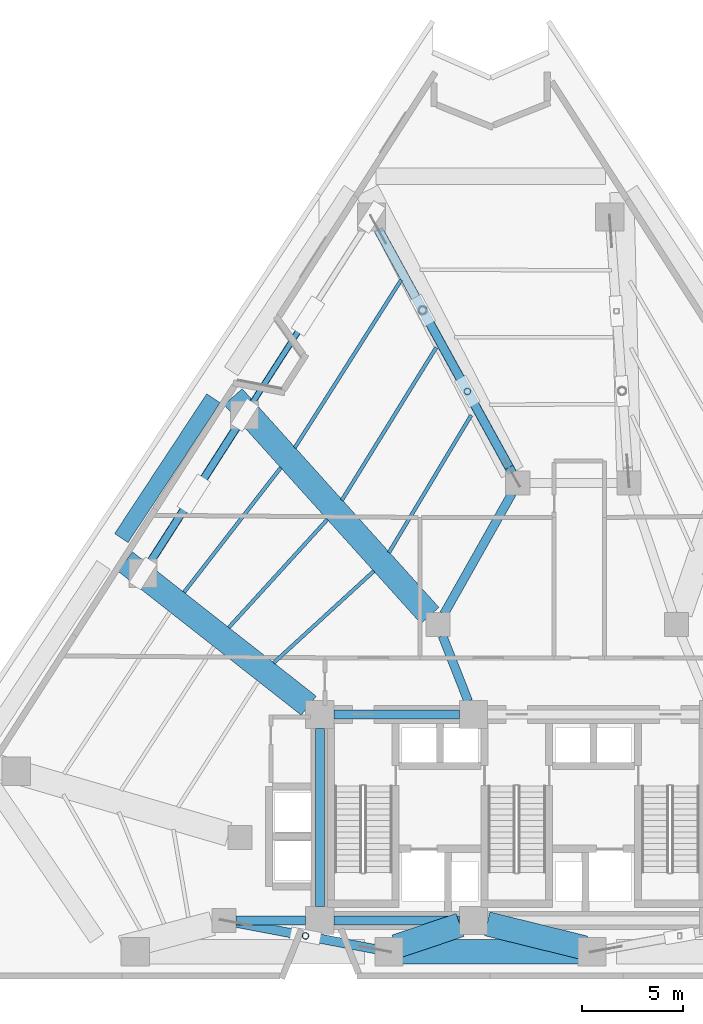
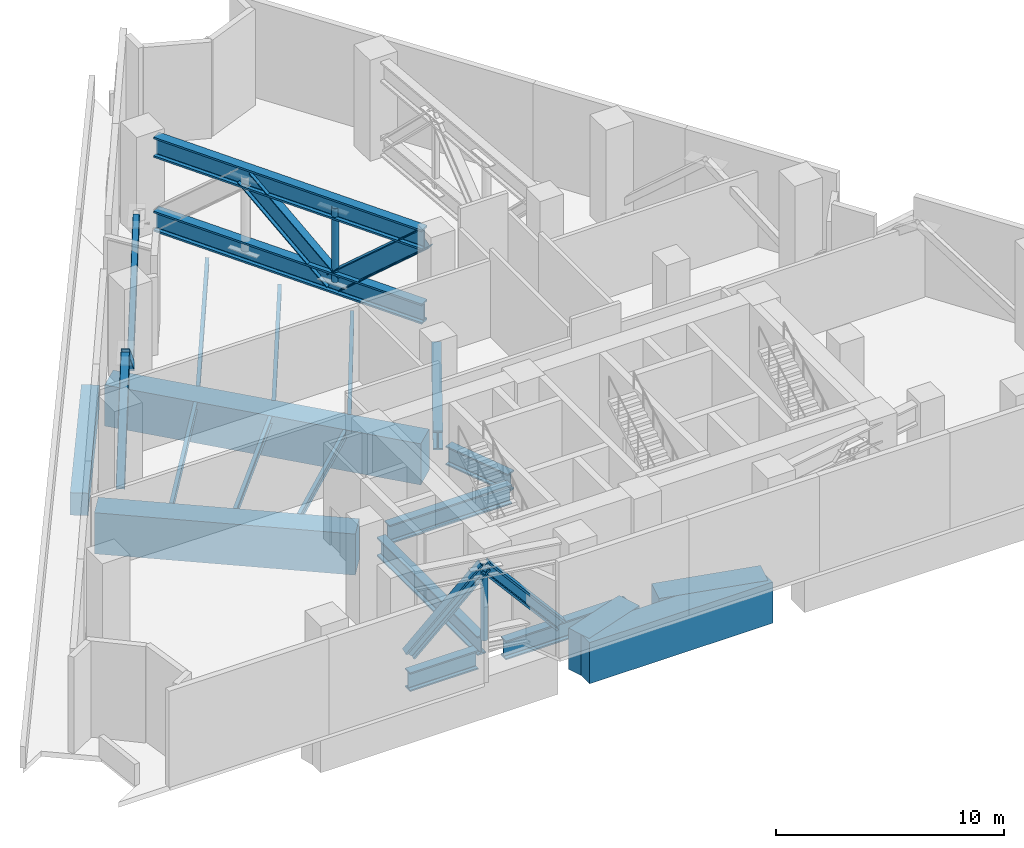
# One storey, part 2 of 12: 20 beams, 9 members.
"""IFC4 building model written with IfcOpenShell, lengths in metres."""

from ifc_helpers import new_model, si_unit, direction, frame, origin, origin_2d, place, context, subcontext, project, spatial, rectangle, hollow_rectangle, hollow_circle, i_section, extrude, material, material_profile, profile_set, type_object, element, save


model = new_model("IFC4")

# Units and contexts
model_context = context("Model", 3, precision=1e-05, world=origin(), true_north=direction((0.0, 1.0)))
body_context = subcontext(model_context, "Body", "Model", "MODEL_VIEW")
ifc_project = project(units=[si_unit("LENGTHUNIT", "METRE"), si_unit("AREAUNIT", "SQUARE_METRE"), si_unit("VOLUMEUNIT", "CUBIC_METRE"), si_unit("PLANEANGLEUNIT", "RADIAN"), si_unit("MASSUNIT", "GRAM", prefix="KILO")], contexts=[model_context])

# Site, building, storey
site_placement = place(None, origin())
site = spatial("IfcSite", under=ifc_project, at=site_placement, CompositionType="ELEMENT")
building_placement = place(site_placement, origin())
building = spatial("IfcBuilding", under=site, at=building_placement, Name="Almagre Mirador Tower", CompositionType="ELEMENT")
storey_placement = place(building_placement, frame((0.0, 0.0, 26.39990234375)))
storey = spatial("IfcBuildingStorey", under=building, at=storey_placement, Name="L05", CompositionType="ELEMENT", Elevation=26.39990234375)

# Beams
ifc_material_1 = material(Name="Steel ASTM A992 Grade 50", Category="steel")
ifc_material_profile_1 = material_profile(ifc_material_1, i_section(OverallWidth=0.178955078125, OverallDepth=0.408935546875, WebThickness=0.0087890625, FlangeThickness=0.014404296875, FilletRadius=0.013916015625, at=origin_2d()), Name="W16X45")
ifc_profile_set_1 = profile_set([ifc_material_profile_1], Name="Steel ASTM A992 Grade 50")
beam_type_1 = type_object("IfcBeamType", Name="BM-JST-W16X45", PredefinedType="JOIST", material=ifc_profile_set_1)
beam_1_placement = place(storey_placement, frame((31.57958984375, 36.26611328125, -0.50439453125), z_axis=(-0.535476048344, -0.844550413918, 0.0), x_axis=(0.844550413918, -0.535476048344, 0.0)))
element("IfcBeam", 1, at=beam_1_placement, inside=storey, type_object=beam_type_1, Name="L05 secondary floor joist PC09-PC10.1", PredefinedType="JOIST", context=body_context, shape_type="SweptSolid", body=[
    extrude(i_section(OverallWidth=0.178955078125, OverallDepth=0.408935546875, WebThickness=0.0087890625, FlangeThickness=0.014404296875, FilletRadius=0.013916015625, at=origin_2d()), origin(), (0.0, 0.0, 1.0), 9.8486328125),
])
beam_2_placement = place(storey_placement, frame((33.310302734375, 32.915771484375, -0.50439453125), z_axis=(-0.525599882162, -0.850731898938, 0.0), x_axis=(0.850731898938, -0.525599882162, 0.0)))
element("IfcBeam", 2, at=beam_2_placement, inside=storey, type_object=beam_type_1, Name="L05 secondary floor joist PC09-PC10.2", PredefinedType="JOIST", context=body_context, shape_type="SweptSolid", body=[
    extrude(i_section(OverallWidth=0.178955078125, OverallDepth=0.408935546875, WebThickness=0.0087890625, FlangeThickness=0.014404296875, FilletRadius=0.013916015625, at=origin_2d()), origin(), (0.0, 0.0, 1.0), 8.88916015625),
])
beam_3_placement = place(storey_placement, frame((35.042236328125, 29.56494140625, -0.50439453125), z_axis=(-0.513567466334, -0.858049216259, 0.0), x_axis=(0.858049216259, -0.513567466334, 0.0)))
element("IfcBeam", 3, at=beam_3_placement, inside=storey, type_object=beam_type_1, Name="L05 secondary floor joist PC09-PC10.3", PredefinedType="JOIST", context=body_context, shape_type="SweptSolid", body=[
    extrude(i_section(OverallWidth=0.178955078125, OverallDepth=0.408935546875, WebThickness=0.0087890625, FlangeThickness=0.014404296875, FilletRadius=0.013916015625, at=origin_2d()), origin(), (0.0, 0.0, 1.0), 7.93115234375),
])
beam_4_placement = place(storey_placement, frame((25.61669921875, 26.9677734375, -0.50439453125), z_axis=(-0.613231061335, -0.789903579821, 0.0), x_axis=(0.789903579821, -0.613231061335, 0.0)))
element("IfcBeam", 4, at=beam_4_placement, inside=storey, type_object=beam_type_1, Name="L05 secondary floor joist PC10-PC11.1", PredefinedType="JOIST", context=body_context, shape_type="SweptSolid", body=[
    extrude(i_section(OverallWidth=0.178955078125, OverallDepth=0.408935546875, WebThickness=0.0087890625, FlangeThickness=0.014404296875, FilletRadius=0.013916015625, at=origin_2d()), origin(), (0.0, 0.0, 1.0), 7.81591796875),
])
beam_5_placement = place(storey_placement, frame((27.91845703125, 24.399658203125, -0.50439453125), z_axis=(-0.673774982924, -0.738936582114, 0.0), x_axis=(0.738936582114, -0.673774982924, 0.0)))
element("IfcBeam", 5, at=beam_5_placement, inside=storey, type_object=beam_type_1, Name="L05 secondary floor joist PC10-PC11.2", PredefinedType="JOIST", context=body_context, shape_type="SweptSolid", body=[
    extrude(i_section(OverallWidth=0.178955078125, OverallDepth=0.408935546875, WebThickness=0.0087890625, FlangeThickness=0.014404296875, FilletRadius=0.013916015625, at=origin_2d()), origin(), (0.0, 0.0, 1.0), 7.238525390625),
])
beam_6_placement = place(storey_placement, frame((30.21826171875, 21.83935546875, -0.50439453125), z_axis=(-0.737530939883, -0.675313344097, 0.0), x_axis=(0.675313344097, -0.737530939883, 0.0)))
element("IfcBeam", 6, at=beam_6_placement, inside=storey, type_object=beam_type_1, Name="L05 secondary floor joist PC10-PC11.3", PredefinedType="JOIST", context=body_context, shape_type="SweptSolid", body=[
    extrude(i_section(OverallWidth=0.178955078125, OverallDepth=0.408935546875, WebThickness=0.0087890625, FlangeThickness=0.014404296875, FilletRadius=0.013916015625, at=origin_2d()), origin(), (0.0, 0.0, 1.0), 6.7216796875),
])
ifc_material_2 = material(Name="Precast concrete C50/60", Category="concrete")
ifc_material_profile_2 = material_profile(ifc_material_2, rectangle(XDim=0.800048828125, YDim=1.199951171875, at=origin_2d()), Name="RC800X1200")
ifc_profile_set_2 = profile_set([ifc_material_profile_2], Name="Precast concrete C50/60")
beam_type_2 = type_object("IfcBeamType", Name="BM-SPN-RC800X1200", PredefinedType="SPANDREL", material=ifc_profile_set_2)
beam_7_placement = place(storey_placement, frame((22.28173828125, 30.39990234375, -0.89990234375), z_axis=(-0.55020506323, -0.835029573366, 0.0), x_axis=(0.835029573366, -0.55020506323, 0.0)))
element("IfcBeam", 7, at=beam_7_placement, inside=storey, type_object=beam_type_2, Name="L05 perimeter spandrel beam PC10-PC11", PredefinedType="SPANDREL", context=body_context, shape_type="SweptSolid", body=[
    extrude(rectangle(XDim=0.800048828125, YDim=1.199951171875, at=origin_2d()), origin(), (0.0, 0.0, 1.0), 8.287109375),
])
ifc_material_3 = material(Name="Steel ASTM A992 Grade 50", Category="steel")
ifc_material_profile_3 = material_profile(ifc_material_3, i_section(OverallWidth=0.43701171875, OverallDepth=1.010986328125, WebThickness=0.041015625, FlangeThickness=0.073974609375, FilletRadius=0.028076171875, at=origin_2d()), Name="W36X529")
ifc_profile_set_3 = profile_set([ifc_material_profile_3], Name="Steel ASTM A992 Grade 50")
beam_type_3 = type_object("IfcBeamType", Name="BM-STL-W36X529", PredefinedType="BEAM", material=ifc_profile_set_3)
for number, where, z_axis, x_axis, name in (
    (8, (28.25, 4.550048828125, -0.805419921875), (1.0, 0.0, 0.0), (0.0, 1.0, 0.0), "L05 core tie girder CC1-CC2"),
    (9, (28.25, 14.75, -0.805419921875), (1.0, 0.0, 0.0), (0.0, 1.0, 0.0), "L05 core tie girder CC4-CC5"),
):
    element("IfcBeam", number, at=place(storey_placement, frame(where, z_axis=z_axis, x_axis=x_axis)), inside=storey, type_object=beam_type_3, Name=name, PredefinedType="BEAM", context=body_context, shape_type="SweptSolid", body=[
        extrude(i_section(OverallWidth=0.43701171875, OverallDepth=1.010986328125, WebThickness=0.041015625, FlangeThickness=0.073974609375, FilletRadius=0.028076171875, at=origin_2d()), origin(), (0.0, 0.0, 1.0), 6.199951171875),
    ])
beam_8_placement = place(storey_placement, frame((27.550048828125, 5.25, -0.805419921875), z_axis=(0.0, 1.0, 0.0), x_axis=(-1.0, 0.0, 0.0)))
element("IfcBeam", 10, at=beam_8_placement, inside=storey, type_object=beam_type_3, Name="L05 core tie girder CC1-CC4", PredefinedType="BEAM", context=body_context, shape_type="SweptSolid", body=[
    extrude(i_section(OverallWidth=0.43701171875, OverallDepth=1.010986328125, WebThickness=0.041015625, FlangeThickness=0.073974609375, FilletRadius=0.028076171875, at=origin_2d()), origin(), (0.0, 0.0, 1.0), 8.800048828125),
])
beam_9_placement = place(storey_placement, frame((23.39990234375, 4.550048828125, -0.805419921875), z_axis=(1.0, 0.0, 0.0), x_axis=(0.0, 1.0, 0.0)))
element("IfcBeam", 11, at=beam_9_placement, inside=storey, type_object=beam_type_3, Name="L05 core tie girder MC1-CC1", PredefinedType="BEAM", context=body_context, shape_type="SweptSolid", body=[
    extrude(i_section(OverallWidth=0.43701171875, OverallDepth=1.010986328125, WebThickness=0.041015625, FlangeThickness=0.073974609375, FilletRadius=0.028076171875, at=origin_2d()), origin(), (0.0, 0.0, 1.0), 3.4501953125),
])
beam_10_placement = place(storey_placement, frame((37.05517578125, 25.677490234375, -0.805419921875), z_axis=(-0.491440637516, -0.870911074564, 0.0), x_axis=(0.870911074564, -0.491440637516, 0.0)))
element("IfcBeam", 12, at=beam_10_placement, inside=storey, type_object=beam_type_3, Name="L05 core tie girder MC7-MC8", PredefinedType="BEAM", context=body_context, shape_type="SweptSolid", body=[
    extrude(i_section(OverallWidth=0.43701171875, OverallDepth=1.010986328125, WebThickness=0.041015625, FlangeThickness=0.073974609375, FilletRadius=0.028076171875, at=origin_2d()), origin(), (0.0, 0.0, 1.0), 6.837646484375),
])
beam_11_placement = place(storey_placement, frame((33.61962890625, 18.6416015625, -0.805419921875), z_axis=(0.365956076985, -0.93063212373, 0.0), x_axis=(0.93063212373, 0.365956076985, 0.0)))
element("IfcBeam", 13, at=beam_11_placement, inside=storey, type_object=beam_type_3, Name="L05 core tie girder MC8-CC5", PredefinedType="BEAM", context=body_context, shape_type="SweptSolid", body=[
    extrude(i_section(OverallWidth=0.43701171875, OverallDepth=1.010986328125, WebThickness=0.041015625, FlangeThickness=0.073974609375, FilletRadius=0.028076171875, at=origin_2d()), origin(), (0.0, 0.0, 1.0), 3.481689453125),
])
ifc_material_4 = material(Name="Steel ASTM A913 Grade 65", Category="steel")
ifc_material_profile_4 = material_profile(ifc_material_4, i_section(OverallWidth=0.45703125, OverallDepth=1.0869140625, WebThickness=0.060546875, FlangeThickness=0.093994140625, FilletRadius=0.028076171875, at=origin_2d()), Name="W36X800")
ifc_profile_set_4 = profile_set([ifc_material_profile_4], Name="Steel ASTM A913 Grade 65")
beam_type_4 = type_object("IfcBeamType", Name="BM-STL-W36X800", PredefinedType="BEAM", material=ifc_profile_set_4)
for number, where, z_axis, x_axis, name in (
    (14, (30.439453125, 38.759765625, 0.650146484375), (0.482060666066, -0.876137839745, 0.0), (0.876137839745, 0.482060666066, 0.0), "L05 outrigger truss 4 bottom chord"),
    (15, (30.439453125, 38.759765625, 4.606689453125), (0.482060666066, -0.876137839745, 0.0), (0.876137839745, 0.482060666066, 0.0), "L05 outrigger truss 4 top chord"),
):
    element("IfcBeam", number, at=place(storey_placement, frame(where, z_axis=z_axis, x_axis=x_axis)), inside=storey, type_object=beam_type_4, Name=name, PredefinedType="BEAM", context=body_context, shape_type="SweptSolid", body=[
        extrude(i_section(OverallWidth=0.45703125, OverallDepth=1.0869140625, WebThickness=0.060546875, FlangeThickness=0.093994140625, FilletRadius=0.028076171875, at=origin_2d()), origin(), (0.0, 0.0, 1.0), 13.735595703125),
    ])
ifc_material_5 = material(Name="Concrete C60/75", Category="concrete")
ifc_material_profile_5 = material_profile(ifc_material_5, rectangle(XDim=1.199951171875, YDim=2.199951171875, at=origin_2d()), Name="RC1200X2200")
ifc_profile_set_5 = profile_set([ifc_material_profile_5], Name="Concrete C60/75")
beam_type_5 = type_object("IfcBeamType", Name="BM-XFER-RC1200X2200", PredefinedType="BEAM", material=ifc_profile_set_5)
beam_12_placement = place(storey_placement, frame((31.360107421875, 3.0, -1.39990234375), z_axis=(1.0, 0.0, 0.0), x_axis=(0.0, 1.0, 0.0)))
element("IfcBeam", 16, at=beam_12_placement, inside=storey, type_object=beam_type_5, Name="L05 perimeter spandrel beam PC02-PC03", PredefinedType="BEAM", context=body_context, shape_type="SweptSolid", body=[
    extrude(rectangle(XDim=1.199951171875, YDim=2.199951171875, at=origin_2d()), origin(), (0.0, 0.0, 1.0), 9.27978515625),
])
beam_13_placement = place(storey_placement, frame((31.318115234375, 3.256103515625, -1.39990234375), z_axis=(0.947457161142, 0.319882678182, 0.0), x_axis=(-0.319882678182, 0.947457161142, 0.0)))
element("IfcBeam", 17, at=beam_13_placement, inside=storey, type_object=beam_type_5, Name="L05 radial transfer girder PC02-CC2", PredefinedType="BEAM", context=body_context, shape_type="SweptSolid", body=[
    extrude(rectangle(XDim=1.199951171875, YDim=2.199951171875, at=origin_2d()), origin(), (0.0, 0.0, 1.0), 3.344482421875),
])
beam_14_placement = place(storey_placement, frame((40.6630859375, 3.19140625, -1.39990234375), z_axis=(-0.970950577001, 0.239280122497, 0.0), x_axis=(-0.239280122497, -0.970950577001, 0.0)))
element("IfcBeam", 18, at=beam_14_placement, inside=storey, type_object=beam_type_5, Name="L05 radial transfer girder PC03-CC2", PredefinedType="BEAM", context=body_context, shape_type="SweptSolid", body=[
    extrude(rectangle(XDim=1.199951171875, YDim=2.199951171875, at=origin_2d()), origin(), (0.0, 0.0, 1.0), 4.97802734375),
])
beam_15_placement = place(storey_placement, frame((23.257080078125, 30.473388671875, -1.39990234375), z_axis=(0.668852666091, -0.743394989937, 0.0), x_axis=(0.743394989937, 0.668852666091, 0.0)))
element("IfcBeam", 19, at=beam_15_placement, inside=storey, type_object=beam_type_5, Name="L05 radial transfer girder PC10-MC8", PredefinedType="BEAM", context=body_context, shape_type="SweptSolid", body=[
    extrude(rectangle(XDim=1.199951171875, YDim=2.199951171875, at=origin_2d()), origin(), (0.0, 0.0, 1.0), 14.564697265625),
])
beam_16_placement = place(storey_placement, frame((17.9111328125, 22.318115234375, -1.39990234375), z_axis=(0.786533842835, -0.617547175587, 0.0), x_axis=(0.617547175587, 0.786533842835, 0.0)))
element("IfcBeam", 20, at=beam_16_placement, inside=storey, type_object=beam_type_5, Name="L05 radial transfer girder PC11-CC4", PredefinedType="BEAM", context=body_context, shape_type="SweptSolid", body=[
    extrude(rectangle(XDim=1.199951171875, YDim=2.199951171875, at=origin_2d()), origin(), (0.0, 0.0, 1.0), 11.554931640625),
])

# Members
ifc_material_6 = material(Name="Steel ASTM A500 Grade C", Category="steel")
ifc_material_profile_6 = material_profile(ifc_material_6, hollow_rectangle(XDim=0.39990234375, YDim=0.39990234375, WallThickness=0.01611328125, InnerFilletRadius=0.01611328125, OuterFilletRadius=0.031982421875, at=origin_2d()), Name="HSS400X400X16")
ifc_profile_set_6 = profile_set([ifc_material_profile_6], Name="Steel ASTM A500 Grade C")
member_type_1 = type_object("IfcMemberType", Name="MBR-BRC-HSS400", PredefinedType="BRACE", material=ifc_profile_set_6)
for number, where, z_axis, x_axis, name in (
    (21, (23.822021484375, 29.572998046875, 0.650146484375), (-0.411134911218, -0.641576648315, 0.647570451083), (0.841957934854, -0.539543173375, 0.0), "L05 perimeter belt truss brace PC10-apex"),
    (22, (18.798095703125, 21.73291015625, 0.650146484375), (0.41112437121, 0.641600158278, 0.647553849726), (-0.841973199147, 0.539519352682, 0.0), "L05 perimeter belt truss brace PC11-apex"),
):
    element("IfcMember", number, at=place(storey_placement, frame(where, z_axis=z_axis, x_axis=x_axis)), inside=storey, type_object=member_type_1, Name=name, PredefinedType="BRACE", context=body_context, shape_type="SweptSolid", body=[
        extrude(hollow_rectangle(XDim=0.39990234375, YDim=0.39990234375, WallThickness=0.01611328125, InnerFilletRadius=0.01611328125, OuterFilletRadius=0.031982421875, at=origin_2d()), origin(), (0.0, 0.0, 1.0), 6.10986328125),
    ])
ifc_material_7 = material(Name="Steel ASTM A500 Grade C", Category="steel")
ifc_material_profile_7 = material_profile(ifc_material_7, hollow_rectangle(XDim=0.300048828125, YDim=0.5, WallThickness=0.01611328125, InnerFilletRadius=0.01611328125, OuterFilletRadius=0.031982421875, at=origin_2d()), Name="HSS500X300X16")
ifc_profile_set_7 = profile_set([ifc_material_profile_7], Name="Steel ASTM A500 Grade C")
member_type_2 = type_object("IfcMemberType", Name="MBR-BRC-HSS500", PredefinedType="BRACE", material=ifc_profile_set_7)
member_1_placement = place(storey_placement, frame((23.822021484375, 29.572998046875, 0.650146484375), z_axis=(0.446184852698, 0.696285669361, 0.562232464258), x_axis=(-0.841962699154, 0.539535738606, 0.0)))
element("IfcMember", 23, at=member_1_placement, inside=storey, type_object=member_type_2, Name="L05 perimeter belt truss brace PC10-apex", PredefinedType="BRACE", context=body_context, shape_type="SweptSolid", body=[
    extrude(hollow_rectangle(XDim=0.300048828125, YDim=0.5, WallThickness=0.01611328125, InnerFilletRadius=0.01611328125, OuterFilletRadius=0.031982421875, at=origin_2d()), origin(), (0.0, 0.0, 1.0), 7.037109375),
])
ifc_material_8 = material(Name="Steel ASTM A913 Grade 65", Category="steel")
ifc_material_profile_8 = material_profile(ifc_material_8, i_section(OverallWidth=0.4541015625, OverallDepth=0.570068359375, WebThickness=0.077880859375, FlangeThickness=0.093994140625, FilletRadius=0.02001953125, at=origin_2d()), Name="W14X730")
ifc_profile_set_8 = profile_set([ifc_material_profile_8], Name="Steel ASTM A913 Grade 65")
member_type_3 = type_object("IfcMemberType", Name="MBR-BRC-W14X730", PredefinedType="BRACE", material=ifc_profile_set_8)
member_2_placement = place(storey_placement, frame((30.2880859375, 3.13037109375, 0.650146484375), z_axis=(-0.652087889827, 0.123604994971, 0.747999457994), x_axis=(-0.18623642959, -0.982504957898, 0.0)))
element("IfcMember", 24, at=member_2_placement, inside=storey, type_object=member_type_3, Name="L05 outrigger truss 1 diagonal 1", PredefinedType="BRACE", context=body_context, shape_type="SweptSolid", body=[
    extrude(i_section(OverallWidth=0.4541015625, OverallDepth=0.570068359375, WebThickness=0.077880859375, FlangeThickness=0.093994140625, FilletRadius=0.02001953125, at=origin_2d()), origin(), (0.0, 0.0, 1.0), 5.28955078125),
])
member_3_placement = place(storey_placement, frame((26.8388671875, 3.7841796875, 4.606689453125), z_axis=(-0.652110697272, 0.123646723617, -0.747972677471), x_axis=(-0.186290831079, -0.98249464439, 0.0)))
element("IfcMember", 25, at=member_3_placement, inside=storey, type_object=member_type_3, Name="L05 outrigger truss 1 diagonal 2", PredefinedType="BRACE", context=body_context, shape_type="SweptSolid", body=[
    extrude(i_section(OverallWidth=0.4541015625, OverallDepth=0.570068359375, WebThickness=0.077880859375, FlangeThickness=0.093994140625, FilletRadius=0.02001953125, at=origin_2d()), origin(), (0.0, 0.0, 1.0), 5.289794921875),
])
ifc_material_9 = material(Name="Steel ASTM A913 Grade 65", Category="steel")
ifc_material_profile_9 = material_profile(ifc_material_9, i_section(OverallWidth=0.423095703125, OverallDepth=0.947998046875, WebThickness=0.02392578125, FlangeThickness=0.042724609375, FilletRadius=0.028076171875, at=origin_2d()), Name="W36X302")
ifc_profile_set_9 = profile_set([ifc_material_profile_9], Name="Steel ASTM A913 Grade 65")
member_type_4 = type_object("IfcMemberType", Name="MBR-BRC-W36X302", PredefinedType="BRACE", material=ifc_profile_set_9)
member_4_placement = place(storey_placement, frame((32.646484375, 34.748291015625, 4.606689453125), z_axis=(0.364770316008, -0.662888650815, -0.653851094042), x_axis=(0.87611456333, 0.482102968172, 0.0)))
element("IfcMember", 26, at=member_4_placement, inside=storey, type_object=member_type_4, Name="L05 outrigger truss 4 diagonal 2", PredefinedType="BRACE", context=body_context, shape_type="SweptSolid", body=[
    extrude(i_section(OverallWidth=0.423095703125, OverallDepth=0.947998046875, WebThickness=0.02392578125, FlangeThickness=0.042724609375, FilletRadius=0.028076171875, at=origin_2d()), origin(), (0.0, 0.0, 1.0), 6.051025390625),
])
member_5_placement = place(storey_placement, frame((34.853759765625, 30.737060546875, 0.650146484375), z_axis=(0.364725582304, -0.662921022437, 0.65384322863), x_axis=(0.876149476941, 0.482039515036, 0.0)))
element("IfcMember", 27, at=member_5_placement, inside=storey, type_object=member_type_4, Name="L05 outrigger truss 4 diagonal 3", PredefinedType="BRACE", context=body_context, shape_type="SweptSolid", body=[
    extrude(i_section(OverallWidth=0.423095703125, OverallDepth=0.947998046875, WebThickness=0.02392578125, FlangeThickness=0.042724609375, FilletRadius=0.028076171875, at=origin_2d()), origin(), (0.0, 0.0, 1.0), 6.05126953125),
])
ifc_material_10 = material(Name="Steel ASTM A500 Grade C", Category="steel")
ifc_material_profile_10 = material_profile(ifc_material_10, hollow_circle(Radius=0.161865234375, WallThickness=0.0126953125, at=origin_2d()), Name="CHS323.9X12.7")
ifc_profile_set_10 = profile_set([ifc_material_profile_10], Name="Steel ASTM A500 Grade C")
member_type_5 = type_object("IfcMemberType", Name="MBR-STR-CHS324", PredefinedType="STRUT", material=ifc_profile_set_10)
for number, where, z_axis, x_axis, name in (
    (28, (26.8388671875, 3.7841796875, 0.650146484375), (0.0, 0.0, 1.0), (1.0, 0.0, 0.0), "L05 outrigger vertical post strut 1.1"),
    (29, (34.853759765625, 30.737060546875, 0.650146484375), (0.0, 0.0, 1.0), (1.0, 0.0, 0.0), "L05 outrigger vertical post strut 4.2"),
):
    element("IfcMember", number, at=place(storey_placement, frame(where, z_axis=z_axis, x_axis=x_axis)), inside=storey, type_object=member_type_5, Name=name, PredefinedType="STRUT", context=body_context, shape_type="SweptSolid", body=[
        extrude(hollow_circle(Radius=0.161865234375, WallThickness=0.0126953125, at=origin_2d()), origin(), (0.0, 0.0, 1.0), 3.95654296875),
    ])

save(model, "model.ifc")
